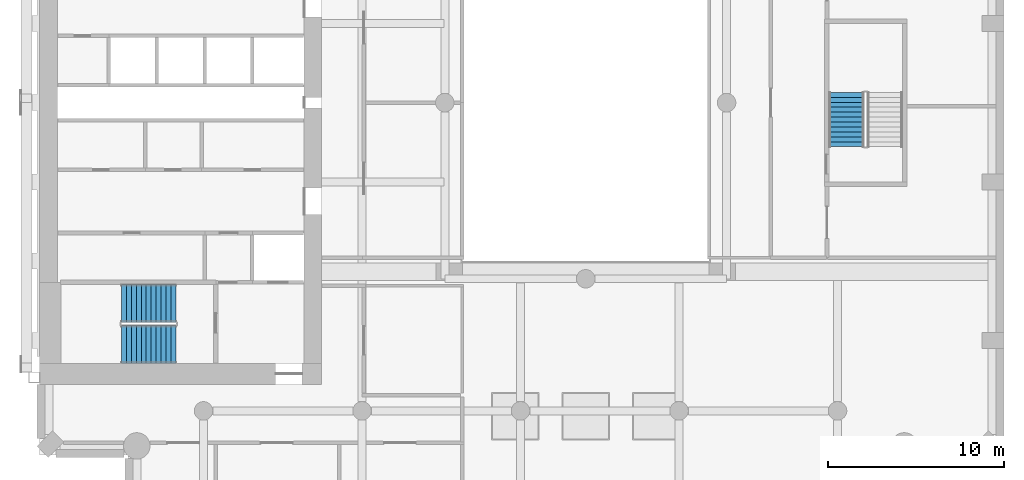
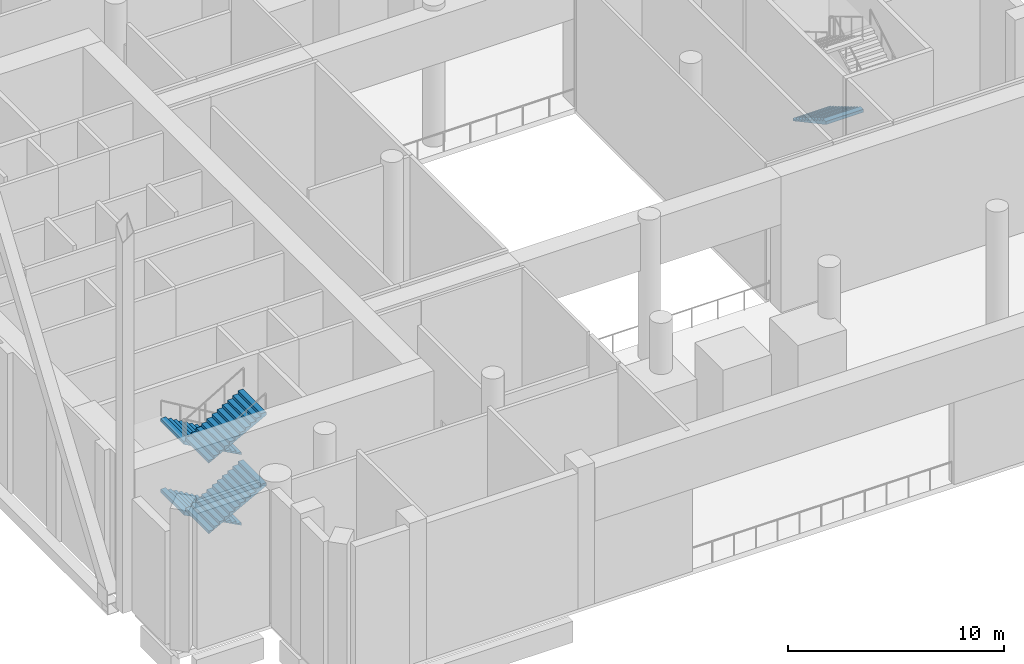
# One storey, part 8 of 14: 5 stair flights, 2 elements without a shape of their own.
"""IFC4 building model written with IfcOpenShell, lengths in metres."""

from ifc_helpers import new_model, si_unit, direction, frame, origin, place, context, subcontext, project, spatial, triangles, material, type_object, element, aggregate, save


model = new_model("IFC4")

# Units and contexts
model_context = context("Model", 3, precision=1e-05, world=origin(), true_north=direction((0.0, 1.0)))
body_context = subcontext(model_context, "Body", "Model", "MODEL_VIEW")
ifc_project = project(units=[si_unit("LENGTHUNIT", "METRE"), si_unit("AREAUNIT", "SQUARE_METRE"), si_unit("VOLUMEUNIT", "CUBIC_METRE"), si_unit("PLANEANGLEUNIT", "RADIAN"), si_unit("MASSUNIT", "GRAM", prefix="KILO")], contexts=[model_context])

# Site, building, storey
site_placement = place(None, origin())
site = spatial("IfcSite", under=ifc_project, at=site_placement, CompositionType="ELEMENT")
building_placement = place(site_placement, origin())
building = spatial("IfcBuilding", under=site, at=building_placement, Name="Cypress Arch Tower", CompositionType="ELEMENT")
storey_placement = place(building_placement, frame((0.0, 0.0, 152.5)))
storey = spatial("IfcBuildingStorey", under=building, at=storey_placement, Name="L33", CompositionType="ELEMENT", Elevation=152.5)

# Stair, stair flight
ifc_material_1 = material(Name="Concrete C40/50", Category="concrete")
stair_type_1 = type_object("IfcStairType", Name="Exit stair ES1667-200", PredefinedType="HALF_TURN_STAIR", material=ifc_material_1)
stair_1_placement = place(storey_placement, origin())
stair_1 = element("IfcStair", 1, at=stair_1_placement, inside=storey, type_object=stair_type_1, Name="L33 Exit stair C", PredefinedType="HALF_TURN_STAIR")
ifc_material_2 = material(Name="Concrete C40/50", Category="concrete")
stair_flight_type_1 = type_object("IfcStairFlightType", Name="Exit stair flight ES1667-200", PredefinedType="STRAIGHT", material=ifc_material_2)
stair_flight_1_placement = place(storey_placement, frame((15.800048828125, 0.580078125, 2.0), z_axis=(0.0, 0.0, 1.0), x_axis=(0.0, -1.0, 0.0)))
stair_flight_1 = element("IfcStairFlight", 2, at=stair_flight_1_placement, type_object=stair_flight_type_1, Name="C flight 2", NumberOfRisers=12, NumberOfTreads=11, PredefinedType="STRAIGHT", RiserHeight=0.166666667, TreadLength=0.28, context=body_context, shape_type="Tessellation", body=[
    triangles([(0.0, -1.0, 0.0), (0.0, -1.0, 0.166748046875), (0.280029296875, -1.0, 0.166748046875), (0.280029296875, -1.0, 0.333251953125), (0.56005859375, -1.0, 0.333251953125), (0.56005859375, -1.0, 0.5), (0.840087890625, -1.0, 0.5), (0.840087890625, -1.0, 0.666748046875), (1.1201171875, -1.0, 0.666748046875), (1.1201171875, -1.0, 0.833251953125), (1.39990234375, -1.0, 0.833251953125), (1.39990234375, -1.0, 1.0), (1.679931640625, -1.0, 1.0), (1.679931640625, -1.0, 1.166748046875), (1.9599609375, -1.0, 1.166748046875), (1.9599609375, -1.0, 1.333251953125), (2.239990234375, -1.0, 1.333251953125), (2.239990234375, -1.0, 1.5), (2.52001953125, -1.0, 1.5), (2.52001953125, -1.0, 1.666748046875), (2.800048828125, -1.0, 1.666748046875), (2.800048828125, -1.0, 1.833251953125), (3.080078125, -1.0, 1.833251953125), (3.080078125, -1.0, 1.658935546875), (3.080078125, 1.0, 1.658935546875), (3.080078125, 1.0, 1.833251953125), (2.800048828125, 1.0, 1.833251953125), (2.800048828125, 1.0, 1.666748046875), (2.52001953125, 1.0, 1.666748046875), (2.52001953125, 1.0, 1.5), (2.239990234375, 1.0, 1.5), (2.239990234375, 1.0, 1.333251953125), (1.9599609375, 1.0, 1.333251953125), (1.9599609375, 1.0, 1.166748046875), (1.679931640625, 1.0, 1.166748046875), (1.679931640625, 1.0, 1.0), (1.39990234375, 1.0, 1.0), (1.39990234375, 1.0, 0.833251953125), (1.1201171875, 1.0, 0.833251953125), (1.1201171875, 1.0, 0.666748046875), (0.840087890625, 1.0, 0.666748046875), (0.840087890625, 1.0, 0.5), (0.56005859375, 1.0, 0.5), (0.56005859375, 1.0, 0.333251953125), (0.280029296875, 1.0, 0.333251953125), (0.280029296875, 1.0, 0.166748046875), (0.0, 1.0, 0.166748046875), (0.0, 1.0, 0.0), (3.080078125, 0.0, 1.833251953125), (3.080078125, 0.0, 1.658935546875), (2.800048828125, 0.0, 1.833251953125), (2.800048828125, 0.0, 1.666748046875), (2.52001953125, 0.0, 1.666748046875), (2.52001953125, 0.0, 1.5), (2.239990234375, 0.0, 1.5), (2.239990234375, 0.0, 1.333251953125), (1.9599609375, 0.0, 1.333251953125), (1.9599609375, 0.0, 1.166748046875), (1.679931640625, 0.0, 1.166748046875), (1.679931640625, 0.0, 1.0), (1.39990234375, 0.0, 1.0), (1.39990234375, 0.0, 0.833251953125), (1.1201171875, 0.0, 0.833251953125), (1.1201171875, 0.0, 0.666748046875), (0.840087890625, 0.0, 0.666748046875), (0.840087890625, 0.0, 0.5), (0.56005859375, 0.0, 0.5), (0.56005859375, 0.0, 0.333251953125), (0.280029296875, 0.0, 0.333251953125), (0.280029296875, 0.0, 0.166748046875), (0.0, 0.0, 0.166748046875), (0.0, 0.0, 0.0)], [[24, 23, 22], [21, 20, 19], [19, 18, 17], [15, 14, 13], [13, 12, 11], [9, 8, 7], [7, 6, 5], [3, 2, 1], [11, 10, 9], [17, 16, 15], [5, 4, 3], [24, 22, 21], [24, 21, 19], [24, 19, 17], [24, 17, 15], [24, 15, 13], [24, 13, 11], [24, 11, 9], [24, 9, 7], [24, 7, 5], [1, 24, 5], [5, 3, 1], [25, 27, 26], [28, 30, 29], [30, 32, 31], [34, 36, 35], [36, 38, 37], [40, 42, 41], [42, 44, 43], [46, 48, 47], [38, 40, 39], [32, 34, 33], [44, 46, 45], [25, 28, 27], [25, 30, 28], [25, 32, 30], [25, 34, 32], [25, 36, 34], [25, 38, 36], [25, 40, 38], [25, 42, 40], [25, 44, 42], [48, 44, 25], [44, 48, 46], [50, 49, 23], [50, 23, 24], [25, 26, 49], [25, 49, 50], [49, 51, 22], [49, 22, 23], [26, 27, 51], [26, 51, 49], [51, 52, 21], [51, 21, 22], [27, 28, 52], [27, 52, 51], [52, 53, 20], [52, 20, 21], [28, 29, 53], [28, 53, 52], [53, 54, 19], [53, 19, 20], [29, 30, 54], [29, 54, 53], [54, 55, 18], [54, 18, 19], [30, 31, 55], [30, 55, 54], [55, 56, 17], [55, 17, 18], [31, 32, 56], [31, 56, 55], [56, 57, 16], [56, 16, 17], [32, 33, 57], [32, 57, 56], [57, 58, 15], [57, 15, 16], [33, 34, 58], [33, 58, 57], [58, 59, 14], [58, 14, 15], [34, 35, 59], [34, 59, 58], [59, 60, 13], [59, 13, 14], [35, 36, 60], [35, 60, 59], [60, 61, 12], [60, 12, 13], [36, 37, 61], [36, 61, 60], [61, 62, 11], [61, 11, 12], [37, 38, 62], [37, 62, 61], [62, 63, 10], [62, 10, 11], [38, 39, 63], [38, 63, 62], [63, 64, 9], [63, 9, 10], [39, 40, 64], [39, 64, 63], [64, 65, 8], [64, 8, 9], [40, 41, 65], [40, 65, 64], [65, 66, 7], [65, 7, 8], [41, 42, 66], [41, 66, 65], [66, 67, 6], [66, 6, 7], [42, 43, 67], [42, 67, 66], [67, 68, 5], [67, 5, 6], [43, 44, 68], [43, 68, 67], [68, 69, 4], [68, 4, 5], [44, 45, 69], [44, 69, 68], [69, 70, 3], [69, 3, 4], [45, 46, 70], [45, 70, 69], [70, 71, 2], [70, 2, 3], [46, 47, 71], [46, 71, 70], [71, 72, 1], [71, 1, 2], [47, 48, 72], [47, 72, 71], [72, 50, 24], [72, 24, 1], [48, 25, 50], [48, 50, 72]], closed=True),
])
aggregate(stair_1, [stair_flight_1])

# Stair, stair flights
ifc_material_3 = material(Name="Concrete C40/50", Category="concrete")
stair_type_2 = type_object("IfcStairType", Name="Exit stair ES1667-215", PredefinedType="HALF_TURN_STAIR", material=ifc_material_3)
stair_2_placement = place(storey_placement, origin())
stair_2 = element("IfcStair", 3, at=stair_2_placement, inside=storey, type_object=stair_type_2, Name="L33 Exit stair A", PredefinedType="HALF_TURN_STAIR")
ifc_material_4 = material(Name="Concrete C40/50", Category="concrete")
stair_flight_type_2 = type_object("IfcStairFlightType", Name="Exit stair flight ES1667-215", PredefinedType="STRAIGHT", material=ifc_material_4)
stair_flight_2_placement = place(storey_placement, frame((-22.27490234375, -11.39990234375, 0.0), z_axis=(0.0, 0.0, 1.0), x_axis=(-1.0, 0.0, 0.0)))
stair_flight_2 = element("IfcStairFlight", 4, at=stair_flight_2_placement, type_object=stair_flight_type_2, Name="A flight 1", NumberOfRisers=12, NumberOfTreads=11, PredefinedType="STRAIGHT", RiserHeight=0.166666667, TreadLength=0.28, context=body_context, shape_type="Tessellation", body=[
    triangles([(0.0, -1.074951171875, 0.0), (0.000244140625, -1.074951171875, 0.0185546875), (0.000244140625, -1.074951171875, 0.037109375), (0.00048828125, -1.074951171875, 0.0556640625), (0.00048828125, -1.074951171875, 0.07421875), (0.00048828125, -1.074951171875, 0.092529296875), (0.00048828125, -1.074951171875, 0.111083984375), (0.000244140625, -1.074951171875, 0.129638671875), (0.000244140625, -1.074951171875, 0.148193359375), (0.0, -1.074951171875, 0.166748046875), (0.280029296875, -1.074951171875, 0.166748046875), (0.280029296875, -1.074951171875, 0.333251953125), (0.56005859375, -1.074951171875, 0.333251953125), (0.56005859375, -1.074951171875, 0.5), (0.840087890625, -1.074951171875, 0.5), (0.840087890625, -1.074951171875, 0.666748046875), (1.1201171875, -1.074951171875, 0.666748046875), (1.1201171875, -1.074951171875, 0.833251953125), (1.39990234375, -1.074951171875, 0.833251953125), (1.39990234375, -1.074951171875, 1.0), (1.679931640625, -1.074951171875, 1.0), (1.679931640625, -1.074951171875, 1.166748046875), (1.9599609375, -1.074951171875, 1.166748046875), (1.9599609375, -1.074951171875, 1.333251953125), (2.239990234375, -1.074951171875, 1.333251953125), (2.239990234375, -1.074951171875, 1.5), (2.52001953125, -1.074951171875, 1.5), (2.52001953125, -1.074951171875, 1.666748046875), (2.800048828125, -1.074951171875, 1.666748046875), (2.800048828125, -1.074951171875, 1.833251953125), (3.080078125, -1.074951171875, 1.833251953125), (3.079833984375, -1.074951171875, 1.81396484375), (3.079833984375, -1.074951171875, 1.79443359375), (3.07958984375, -1.074951171875, 1.775146484375), (3.07958984375, -1.074951171875, 1.755859375), (3.07958984375, -1.074951171875, 1.736328125), (3.07958984375, -1.074951171875, 1.717041015625), (3.079833984375, -1.074951171875, 1.69775390625), (3.079833984375, -1.074951171875, 1.67822265625), (3.080078125, -1.074951171875, 1.658935546875), (3.080078125, 1.074951171875, 1.658935546875), (3.079833984375, 1.074951171875, 1.67822265625), (3.079833984375, 1.074951171875, 1.69775390625), (3.07958984375, 1.074951171875, 1.717041015625), (3.07958984375, 1.074951171875, 1.736328125), (3.07958984375, 1.074951171875, 1.755859375), (3.07958984375, 1.074951171875, 1.775146484375), (3.079833984375, 1.074951171875, 1.79443359375), (3.079833984375, 1.074951171875, 1.81396484375), (3.080078125, 1.074951171875, 1.833251953125), (2.800048828125, 1.074951171875, 1.833251953125), (2.800048828125, 1.074951171875, 1.666748046875), (2.52001953125, 1.074951171875, 1.666748046875), (2.52001953125, 1.074951171875, 1.5), (2.239990234375, 1.074951171875, 1.5), (2.239990234375, 1.074951171875, 1.333251953125), (1.9599609375, 1.074951171875, 1.333251953125), (1.9599609375, 1.074951171875, 1.166748046875), (1.679931640625, 1.074951171875, 1.166748046875), (1.679931640625, 1.074951171875, 1.0), (1.39990234375, 1.074951171875, 1.0), (1.39990234375, 1.074951171875, 0.833251953125), (1.1201171875, 1.074951171875, 0.833251953125), (1.1201171875, 1.074951171875, 0.666748046875), (0.840087890625, 1.074951171875, 0.666748046875), (0.840087890625, 1.074951171875, 0.5), (0.56005859375, 1.074951171875, 0.5), (0.56005859375, 1.074951171875, 0.333251953125), (0.280029296875, 1.074951171875, 0.333251953125), (0.280029296875, 1.074951171875, 0.166748046875), (0.0, 1.074951171875, 0.166748046875), (0.000244140625, 1.074951171875, 0.148193359375), (0.000244140625, 1.074951171875, 0.129638671875), (0.00048828125, 1.074951171875, 0.111083984375), (0.00048828125, 1.074951171875, 0.092529296875), (0.00048828125, 1.074951171875, 0.07421875), (0.00048828125, 1.074951171875, 0.0556640625), (0.000244140625, 1.074951171875, 0.037109375), (0.000244140625, 1.074951171875, 0.0185546875), (0.0, 1.074951171875, 0.0)], [[40, 39, 30], [39, 38, 30], [38, 37, 30], [37, 36, 30], [36, 35, 30], [35, 34, 30], [34, 33, 30], [33, 32, 30], [32, 31, 30], [29, 28, 27], [27, 26, 25], [23, 22, 21], [21, 20, 19], [17, 16, 15], [15, 14, 13], [10, 9, 11], [9, 8, 11], [8, 7, 11], [7, 6, 11], [6, 5, 11], [5, 4, 11], [4, 3, 11], [3, 2, 11], [2, 1, 11], [19, 18, 17], [25, 24, 23], [13, 12, 11], [40, 30, 29], [40, 29, 27], [40, 27, 25], [40, 25, 23], [40, 23, 21], [40, 21, 19], [40, 19, 17], [40, 17, 15], [40, 15, 13], [1, 40, 13], [13, 11, 1], [41, 51, 42], [42, 51, 43], [43, 51, 44], [44, 51, 45], [45, 51, 46], [46, 51, 47], [47, 51, 48], [48, 51, 49], [49, 51, 50], [52, 54, 53], [54, 56, 55], [58, 60, 59], [60, 62, 61], [64, 66, 65], [66, 68, 67], [71, 70, 72], [72, 70, 73], [73, 70, 74], [74, 70, 75], [75, 70, 76], [76, 70, 77], [77, 70, 78], [78, 70, 79], [79, 70, 80], [62, 64, 63], [56, 58, 57], [68, 70, 69], [41, 52, 51], [41, 54, 52], [41, 56, 54], [41, 58, 56], [41, 60, 58], [41, 62, 60], [41, 64, 62], [41, 66, 64], [41, 68, 66], [80, 68, 41], [68, 80, 70], [41, 42, 39], [41, 39, 40], [42, 43, 38], [42, 38, 39], [43, 44, 37], [43, 37, 38], [44, 45, 36], [44, 36, 37], [45, 46, 35], [45, 35, 36], [46, 47, 34], [46, 34, 35], [47, 48, 33], [47, 33, 34], [48, 49, 32], [48, 32, 33], [49, 50, 31], [49, 31, 32], [50, 51, 30], [50, 30, 31], [51, 52, 29], [51, 29, 30], [52, 53, 28], [52, 28, 29], [53, 54, 27], [53, 27, 28], [54, 55, 26], [54, 26, 27], [55, 56, 25], [55, 25, 26], [56, 57, 24], [56, 24, 25], [57, 58, 23], [57, 23, 24], [58, 59, 22], [58, 22, 23], [59, 60, 21], [59, 21, 22], [60, 61, 20], [60, 20, 21], [61, 62, 19], [61, 19, 20], [62, 63, 18], [62, 18, 19], [63, 64, 17], [63, 17, 18], [64, 65, 16], [64, 16, 17], [65, 66, 15], [65, 15, 16], [66, 67, 14], [66, 14, 15], [67, 68, 13], [67, 13, 14], [68, 69, 12], [68, 12, 13], [69, 70, 11], [69, 11, 12], [70, 71, 10], [70, 10, 11], [71, 72, 9], [71, 9, 10], [72, 73, 8], [72, 8, 9], [73, 74, 7], [73, 7, 8], [74, 75, 6], [74, 6, 7], [75, 76, 5], [75, 5, 6], [76, 77, 4], [76, 4, 5], [77, 78, 3], [77, 3, 4], [78, 79, 2], [78, 2, 3], [79, 80, 1], [79, 1, 2], [80, 41, 40], [80, 40, 1]], closed=True),
])
stair_flight_3_placement = place(storey_placement, frame((-25.35498046875, -13.72509765625, 2.0), z_axis=(0.0, 0.0, 1.0), x_axis=(1.0, 0.0, 0.0)))
stair_flight_3 = element("IfcStairFlight", 5, at=stair_flight_3_placement, type_object=stair_flight_type_2, Name="A flight 2", NumberOfRisers=12, NumberOfTreads=11, PredefinedType="STRAIGHT", RiserHeight=0.166666667, TreadLength=0.28, context=body_context, shape_type="Tessellation", body=[
    triangles([(0.0, -1.074951171875, 0.0), (0.000244140625, -1.074951171875, 0.0185546875), (0.000244140625, -1.074951171875, 0.037109375), (0.00048828125, -1.074951171875, 0.0556640625), (0.00048828125, -1.074951171875, 0.07421875), (0.00048828125, -1.074951171875, 0.092529296875), (0.00048828125, -1.074951171875, 0.111083984375), (0.000244140625, -1.074951171875, 0.129638671875), (0.000244140625, -1.074951171875, 0.148193359375), (0.0, -1.074951171875, 0.166748046875), (0.280029296875, -1.074951171875, 0.166748046875), (0.280029296875, -1.074951171875, 0.333251953125), (0.56005859375, -1.074951171875, 0.333251953125), (0.56005859375, -1.074951171875, 0.5), (0.840087890625, -1.074951171875, 0.5), (0.840087890625, -1.074951171875, 0.666748046875), (1.1201171875, -1.074951171875, 0.666748046875), (1.1201171875, -1.074951171875, 0.833251953125), (1.39990234375, -1.074951171875, 0.833251953125), (1.39990234375, -1.074951171875, 1.0), (1.679931640625, -1.074951171875, 1.0), (1.679931640625, -1.074951171875, 1.166748046875), (1.9599609375, -1.074951171875, 1.166748046875), (1.9599609375, -1.074951171875, 1.333251953125), (2.239990234375, -1.074951171875, 1.333251953125), (2.239990234375, -1.074951171875, 1.5), (2.52001953125, -1.074951171875, 1.5), (2.52001953125, -1.074951171875, 1.666748046875), (2.800048828125, -1.074951171875, 1.666748046875), (2.800048828125, -1.074951171875, 1.833251953125), (3.080078125, -1.074951171875, 1.833251953125), (3.079833984375, -1.074951171875, 1.81396484375), (3.079833984375, -1.074951171875, 1.79443359375), (3.07958984375, -1.074951171875, 1.775146484375), (3.07958984375, -1.074951171875, 1.755859375), (3.07958984375, -1.074951171875, 1.736328125), (3.07958984375, -1.074951171875, 1.717041015625), (3.079833984375, -1.074951171875, 1.69775390625), (3.079833984375, -1.074951171875, 1.67822265625), (3.080078125, -1.074951171875, 1.658935546875), (3.080078125, 1.074951171875, 1.658935546875), (3.079833984375, 1.074951171875, 1.67822265625), (3.079833984375, 1.074951171875, 1.69775390625), (3.07958984375, 1.074951171875, 1.717041015625), (3.07958984375, 1.074951171875, 1.736328125), (3.07958984375, 1.074951171875, 1.755859375), (3.07958984375, 1.074951171875, 1.775146484375), (3.079833984375, 1.074951171875, 1.79443359375), (3.079833984375, 1.074951171875, 1.81396484375), (3.080078125, 1.074951171875, 1.833251953125), (2.800048828125, 1.074951171875, 1.833251953125), (2.800048828125, 1.074951171875, 1.666748046875), (2.52001953125, 1.074951171875, 1.666748046875), (2.52001953125, 1.074951171875, 1.5), (2.239990234375, 1.074951171875, 1.5), (2.239990234375, 1.074951171875, 1.333251953125), (1.9599609375, 1.074951171875, 1.333251953125), (1.9599609375, 1.074951171875, 1.166748046875), (1.679931640625, 1.074951171875, 1.166748046875), (1.679931640625, 1.074951171875, 1.0), (1.39990234375, 1.074951171875, 1.0), (1.39990234375, 1.074951171875, 0.833251953125), (1.1201171875, 1.074951171875, 0.833251953125), (1.1201171875, 1.074951171875, 0.666748046875), (0.840087890625, 1.074951171875, 0.666748046875), (0.840087890625, 1.074951171875, 0.5), (0.56005859375, 1.074951171875, 0.5), (0.56005859375, 1.074951171875, 0.333251953125), (0.280029296875, 1.074951171875, 0.333251953125), (0.280029296875, 1.074951171875, 0.166748046875), (0.0, 1.074951171875, 0.166748046875), (0.000244140625, 1.074951171875, 0.148193359375), (0.000244140625, 1.074951171875, 0.129638671875), (0.00048828125, 1.074951171875, 0.111083984375), (0.00048828125, 1.074951171875, 0.092529296875), (0.00048828125, 1.074951171875, 0.07421875), (0.00048828125, 1.074951171875, 0.0556640625), (0.000244140625, 1.074951171875, 0.037109375), (0.000244140625, 1.074951171875, 0.0185546875), (0.0, 1.074951171875, 0.0)], [[40, 39, 30], [39, 38, 30], [38, 37, 30], [37, 36, 30], [36, 35, 30], [35, 34, 30], [34, 33, 30], [33, 32, 30], [32, 31, 30], [29, 28, 27], [27, 26, 25], [23, 22, 21], [21, 20, 19], [17, 16, 15], [15, 14, 13], [10, 9, 11], [9, 8, 11], [8, 7, 11], [7, 6, 11], [6, 5, 11], [5, 4, 11], [4, 3, 11], [3, 2, 11], [2, 1, 11], [19, 18, 17], [25, 24, 23], [13, 12, 11], [40, 30, 29], [40, 29, 27], [40, 27, 25], [40, 25, 23], [40, 23, 21], [40, 21, 19], [40, 19, 17], [40, 17, 15], [40, 15, 13], [1, 40, 13], [13, 11, 1], [41, 51, 42], [42, 51, 43], [43, 51, 44], [44, 51, 45], [45, 51, 46], [46, 51, 47], [47, 51, 48], [48, 51, 49], [49, 51, 50], [52, 54, 53], [54, 56, 55], [58, 60, 59], [60, 62, 61], [64, 66, 65], [66, 68, 67], [71, 70, 72], [72, 70, 73], [73, 70, 74], [74, 70, 75], [75, 70, 76], [76, 70, 77], [77, 70, 78], [78, 70, 79], [79, 70, 80], [62, 64, 63], [56, 58, 57], [68, 70, 69], [41, 52, 51], [41, 54, 52], [41, 56, 54], [41, 58, 56], [41, 60, 58], [41, 62, 60], [41, 64, 62], [41, 66, 64], [41, 68, 66], [80, 68, 41], [68, 80, 70], [41, 42, 39], [41, 39, 40], [42, 43, 38], [42, 38, 39], [43, 44, 37], [43, 37, 38], [44, 45, 36], [44, 36, 37], [45, 46, 35], [45, 35, 36], [46, 47, 34], [46, 34, 35], [47, 48, 33], [47, 33, 34], [48, 49, 32], [48, 32, 33], [49, 50, 31], [49, 31, 32], [50, 51, 30], [50, 30, 31], [51, 52, 29], [51, 29, 30], [52, 53, 28], [52, 28, 29], [53, 54, 27], [53, 27, 28], [54, 55, 26], [54, 26, 27], [55, 56, 25], [55, 25, 26], [56, 57, 24], [56, 24, 25], [57, 58, 23], [57, 23, 24], [58, 59, 22], [58, 22, 23], [59, 60, 21], [59, 21, 22], [60, 61, 20], [60, 20, 21], [61, 62, 19], [61, 19, 20], [62, 63, 18], [62, 18, 19], [63, 64, 17], [63, 17, 18], [64, 65, 16], [64, 16, 17], [65, 66, 15], [65, 15, 16], [66, 67, 14], [66, 14, 15], [67, 68, 13], [67, 13, 14], [68, 69, 12], [68, 12, 13], [69, 70, 11], [69, 11, 12], [70, 71, 10], [70, 10, 11], [71, 72, 9], [71, 9, 10], [72, 73, 8], [72, 8, 9], [73, 74, 7], [73, 7, 8], [74, 75, 6], [74, 6, 7], [75, 76, 5], [75, 5, 6], [76, 77, 4], [76, 4, 5], [77, 78, 3], [77, 3, 4], [78, 79, 2], [78, 2, 3], [79, 80, 1], [79, 1, 2], [80, 41, 40], [80, 40, 1]], closed=True),
])
stair_flight_4_placement = place(storey_placement, frame((-22.27490234375, -11.39990234375, 4.0), z_axis=(0.0, 0.0, 1.0), x_axis=(-1.0, 0.0, 0.0)))
stair_flight_4 = element("IfcStairFlight", 6, at=stair_flight_4_placement, type_object=stair_flight_type_2, Name="A flight 3", NumberOfRisers=12, NumberOfTreads=11, PredefinedType="STRAIGHT", RiserHeight=0.166666667, TreadLength=0.28, context=body_context, shape_type="Tessellation", body=[
    triangles([(0.0, -1.074951171875, 0.0), (0.000244140625, -1.074951171875, 0.0185546875), (0.000244140625, -1.074951171875, 0.037109375), (0.00048828125, -1.074951171875, 0.0556640625), (0.00048828125, -1.074951171875, 0.07421875), (0.00048828125, -1.074951171875, 0.092529296875), (0.00048828125, -1.074951171875, 0.111083984375), (0.000244140625, -1.074951171875, 0.129638671875), (0.000244140625, -1.074951171875, 0.148193359375), (0.0, -1.074951171875, 0.166748046875), (0.280029296875, -1.074951171875, 0.166748046875), (0.280029296875, -1.074951171875, 0.333251953125), (0.56005859375, -1.074951171875, 0.333251953125), (0.56005859375, -1.074951171875, 0.5), (0.840087890625, -1.074951171875, 0.5), (0.840087890625, -1.074951171875, 0.666748046875), (1.1201171875, -1.074951171875, 0.666748046875), (1.1201171875, -1.074951171875, 0.833251953125), (1.39990234375, -1.074951171875, 0.833251953125), (1.39990234375, -1.074951171875, 1.0), (1.679931640625, -1.074951171875, 1.0), (1.679931640625, -1.074951171875, 1.166748046875), (1.9599609375, -1.074951171875, 1.166748046875), (1.9599609375, -1.074951171875, 1.333251953125), (2.239990234375, -1.074951171875, 1.333251953125), (2.239990234375, -1.074951171875, 1.5), (2.52001953125, -1.074951171875, 1.5), (2.52001953125, -1.074951171875, 1.666748046875), (2.800048828125, -1.074951171875, 1.666748046875), (2.800048828125, -1.074951171875, 1.833251953125), (3.080078125, -1.074951171875, 1.833251953125), (3.079833984375, -1.074951171875, 1.81396484375), (3.079833984375, -1.074951171875, 1.79443359375), (3.07958984375, -1.074951171875, 1.775146484375), (3.07958984375, -1.074951171875, 1.755859375), (3.07958984375, -1.074951171875, 1.736328125), (3.07958984375, -1.074951171875, 1.717041015625), (3.079833984375, -1.074951171875, 1.69775390625), (3.079833984375, -1.074951171875, 1.67822265625), (3.080078125, -1.074951171875, 1.658935546875), (3.080078125, 1.074951171875, 1.658935546875), (3.079833984375, 1.074951171875, 1.67822265625), (3.079833984375, 1.074951171875, 1.69775390625), (3.07958984375, 1.074951171875, 1.717041015625), (3.07958984375, 1.074951171875, 1.736328125), (3.07958984375, 1.074951171875, 1.755859375), (3.07958984375, 1.074951171875, 1.775146484375), (3.079833984375, 1.074951171875, 1.79443359375), (3.079833984375, 1.074951171875, 1.81396484375), (3.080078125, 1.074951171875, 1.833251953125), (2.800048828125, 1.074951171875, 1.833251953125), (2.800048828125, 1.074951171875, 1.666748046875), (2.52001953125, 1.074951171875, 1.666748046875), (2.52001953125, 1.074951171875, 1.5), (2.239990234375, 1.074951171875, 1.5), (2.239990234375, 1.074951171875, 1.333251953125), (1.9599609375, 1.074951171875, 1.333251953125), (1.9599609375, 1.074951171875, 1.166748046875), (1.679931640625, 1.074951171875, 1.166748046875), (1.679931640625, 1.074951171875, 1.0), (1.39990234375, 1.074951171875, 1.0), (1.39990234375, 1.074951171875, 0.833251953125), (1.1201171875, 1.074951171875, 0.833251953125), (1.1201171875, 1.074951171875, 0.666748046875), (0.840087890625, 1.074951171875, 0.666748046875), (0.840087890625, 1.074951171875, 0.5), (0.56005859375, 1.074951171875, 0.5), (0.56005859375, 1.074951171875, 0.333251953125), (0.280029296875, 1.074951171875, 0.333251953125), (0.280029296875, 1.074951171875, 0.166748046875), (0.0, 1.074951171875, 0.166748046875), (0.000244140625, 1.074951171875, 0.148193359375), (0.000244140625, 1.074951171875, 0.129638671875), (0.00048828125, 1.074951171875, 0.111083984375), (0.00048828125, 1.074951171875, 0.092529296875), (0.00048828125, 1.074951171875, 0.07421875), (0.00048828125, 1.074951171875, 0.0556640625), (0.000244140625, 1.074951171875, 0.037109375), (0.000244140625, 1.074951171875, 0.0185546875), (0.0, 1.074951171875, 0.0)], [[40, 39, 30], [39, 38, 30], [38, 37, 30], [37, 36, 30], [36, 35, 30], [35, 34, 30], [34, 33, 30], [33, 32, 30], [32, 31, 30], [29, 28, 27], [27, 26, 25], [23, 22, 21], [21, 20, 19], [17, 16, 15], [15, 14, 13], [10, 9, 11], [9, 8, 11], [8, 7, 11], [7, 6, 11], [6, 5, 11], [5, 4, 11], [4, 3, 11], [3, 2, 11], [2, 1, 11], [19, 18, 17], [25, 24, 23], [13, 12, 11], [40, 30, 29], [40, 29, 27], [40, 27, 25], [40, 25, 23], [40, 23, 21], [40, 21, 19], [40, 19, 17], [40, 17, 15], [40, 15, 13], [1, 40, 13], [13, 11, 1], [41, 51, 42], [42, 51, 43], [43, 51, 44], [44, 51, 45], [45, 51, 46], [46, 51, 47], [47, 51, 48], [48, 51, 49], [49, 51, 50], [52, 54, 53], [54, 56, 55], [58, 60, 59], [60, 62, 61], [64, 66, 65], [66, 68, 67], [71, 70, 72], [72, 70, 73], [73, 70, 74], [74, 70, 75], [75, 70, 76], [76, 70, 77], [77, 70, 78], [78, 70, 79], [79, 70, 80], [62, 64, 63], [56, 58, 57], [68, 70, 69], [41, 52, 51], [41, 54, 52], [41, 56, 54], [41, 58, 56], [41, 60, 58], [41, 62, 60], [41, 64, 62], [41, 66, 64], [41, 68, 66], [80, 68, 41], [68, 80, 70], [41, 42, 39], [41, 39, 40], [42, 43, 38], [42, 38, 39], [43, 44, 37], [43, 37, 38], [44, 45, 36], [44, 36, 37], [45, 46, 35], [45, 35, 36], [46, 47, 34], [46, 34, 35], [47, 48, 33], [47, 33, 34], [48, 49, 32], [48, 32, 33], [49, 50, 31], [49, 31, 32], [50, 51, 30], [50, 30, 31], [51, 52, 29], [51, 29, 30], [52, 53, 28], [52, 28, 29], [53, 54, 27], [53, 27, 28], [54, 55, 26], [54, 26, 27], [55, 56, 25], [55, 25, 26], [56, 57, 24], [56, 24, 25], [57, 58, 23], [57, 23, 24], [58, 59, 22], [58, 22, 23], [59, 60, 21], [59, 21, 22], [60, 61, 20], [60, 20, 21], [61, 62, 19], [61, 19, 20], [62, 63, 18], [62, 18, 19], [63, 64, 17], [63, 17, 18], [64, 65, 16], [64, 16, 17], [65, 66, 15], [65, 15, 16], [66, 67, 14], [66, 14, 15], [67, 68, 13], [67, 13, 14], [68, 69, 12], [68, 12, 13], [69, 70, 11], [69, 11, 12], [70, 71, 10], [70, 10, 11], [71, 72, 9], [71, 9, 10], [72, 73, 8], [72, 8, 9], [73, 74, 7], [73, 7, 8], [74, 75, 6], [74, 6, 7], [75, 76, 5], [75, 5, 6], [76, 77, 4], [76, 4, 5], [77, 78, 3], [77, 3, 4], [78, 79, 2], [78, 2, 3], [79, 80, 1], [79, 1, 2], [80, 41, 40], [80, 40, 1]], closed=True),
])
stair_flight_5_placement = place(storey_placement, frame((-25.35498046875, -13.72509765625, 6.0), z_axis=(0.0, 0.0, 1.0), x_axis=(1.0, 0.0, 0.0)))
stair_flight_5 = element("IfcStairFlight", 7, at=stair_flight_5_placement, type_object=stair_flight_type_2, Name="A flight 4", NumberOfRisers=12, NumberOfTreads=11, PredefinedType="STRAIGHT", RiserHeight=0.166666667, TreadLength=0.28, context=body_context, shape_type="Tessellation", body=[
    triangles([(0.0, -1.074951171875, 0.0), (0.000244140625, -1.074951171875, 0.0185546875), (0.000244140625, -1.074951171875, 0.037109375), (0.00048828125, -1.074951171875, 0.0556640625), (0.00048828125, -1.074951171875, 0.07421875), (0.00048828125, -1.074951171875, 0.092529296875), (0.00048828125, -1.074951171875, 0.111083984375), (0.000244140625, -1.074951171875, 0.129638671875), (0.000244140625, -1.074951171875, 0.148193359375), (0.0, -1.074951171875, 0.166748046875), (0.280029296875, -1.074951171875, 0.166748046875), (0.280029296875, -1.074951171875, 0.333251953125), (0.56005859375, -1.074951171875, 0.333251953125), (0.56005859375, -1.074951171875, 0.5), (0.840087890625, -1.074951171875, 0.5), (0.840087890625, -1.074951171875, 0.666748046875), (1.1201171875, -1.074951171875, 0.666748046875), (1.1201171875, -1.074951171875, 0.833251953125), (1.39990234375, -1.074951171875, 0.833251953125), (1.39990234375, -1.074951171875, 1.0), (1.679931640625, -1.074951171875, 1.0), (1.679931640625, -1.074951171875, 1.166748046875), (1.9599609375, -1.074951171875, 1.166748046875), (1.9599609375, -1.074951171875, 1.333251953125), (2.239990234375, -1.074951171875, 1.333251953125), (2.239990234375, -1.074951171875, 1.5), (2.52001953125, -1.074951171875, 1.5), (2.52001953125, -1.074951171875, 1.666748046875), (2.800048828125, -1.074951171875, 1.666748046875), (2.800048828125, -1.074951171875, 1.833251953125), (3.080078125, -1.074951171875, 1.833251953125), (3.079833984375, -1.074951171875, 1.81396484375), (3.079833984375, -1.074951171875, 1.79443359375), (3.07958984375, -1.074951171875, 1.775146484375), (3.07958984375, -1.074951171875, 1.755859375), (3.07958984375, -1.074951171875, 1.736328125), (3.07958984375, -1.074951171875, 1.717041015625), (3.079833984375, -1.074951171875, 1.69775390625), (3.079833984375, -1.074951171875, 1.67822265625), (3.080078125, -1.074951171875, 1.658935546875), (3.080078125, 1.074951171875, 1.658935546875), (3.079833984375, 1.074951171875, 1.67822265625), (3.079833984375, 1.074951171875, 1.69775390625), (3.07958984375, 1.074951171875, 1.717041015625), (3.07958984375, 1.074951171875, 1.736328125), (3.07958984375, 1.074951171875, 1.755859375), (3.07958984375, 1.074951171875, 1.775146484375), (3.079833984375, 1.074951171875, 1.79443359375), (3.079833984375, 1.074951171875, 1.81396484375), (3.080078125, 1.074951171875, 1.833251953125), (2.800048828125, 1.074951171875, 1.833251953125), (2.800048828125, 1.074951171875, 1.666748046875), (2.52001953125, 1.074951171875, 1.666748046875), (2.52001953125, 1.074951171875, 1.5), (2.239990234375, 1.074951171875, 1.5), (2.239990234375, 1.074951171875, 1.333251953125), (1.9599609375, 1.074951171875, 1.333251953125), (1.9599609375, 1.074951171875, 1.166748046875), (1.679931640625, 1.074951171875, 1.166748046875), (1.679931640625, 1.074951171875, 1.0), (1.39990234375, 1.074951171875, 1.0), (1.39990234375, 1.074951171875, 0.833251953125), (1.1201171875, 1.074951171875, 0.833251953125), (1.1201171875, 1.074951171875, 0.666748046875), (0.840087890625, 1.074951171875, 0.666748046875), (0.840087890625, 1.074951171875, 0.5), (0.56005859375, 1.074951171875, 0.5), (0.56005859375, 1.074951171875, 0.333251953125), (0.280029296875, 1.074951171875, 0.333251953125), (0.280029296875, 1.074951171875, 0.166748046875), (0.0, 1.074951171875, 0.166748046875), (0.000244140625, 1.074951171875, 0.148193359375), (0.000244140625, 1.074951171875, 0.129638671875), (0.00048828125, 1.074951171875, 0.111083984375), (0.00048828125, 1.074951171875, 0.092529296875), (0.00048828125, 1.074951171875, 0.07421875), (0.00048828125, 1.074951171875, 0.0556640625), (0.000244140625, 1.074951171875, 0.037109375), (0.000244140625, 1.074951171875, 0.0185546875), (0.0, 1.074951171875, 0.0)], [[40, 39, 30], [39, 38, 30], [38, 37, 30], [37, 36, 30], [36, 35, 30], [35, 34, 30], [34, 33, 30], [33, 32, 30], [32, 31, 30], [29, 28, 27], [27, 26, 25], [23, 22, 21], [21, 20, 19], [17, 16, 15], [15, 14, 13], [10, 9, 11], [9, 8, 11], [8, 7, 11], [7, 6, 11], [6, 5, 11], [5, 4, 11], [4, 3, 11], [3, 2, 11], [2, 1, 11], [19, 18, 17], [25, 24, 23], [13, 12, 11], [40, 30, 29], [40, 29, 27], [40, 27, 25], [40, 25, 23], [40, 23, 21], [40, 21, 19], [40, 19, 17], [40, 17, 15], [40, 15, 13], [1, 40, 13], [13, 11, 1], [41, 51, 42], [42, 51, 43], [43, 51, 44], [44, 51, 45], [45, 51, 46], [46, 51, 47], [47, 51, 48], [48, 51, 49], [49, 51, 50], [52, 54, 53], [54, 56, 55], [58, 60, 59], [60, 62, 61], [64, 66, 65], [66, 68, 67], [71, 70, 72], [72, 70, 73], [73, 70, 74], [74, 70, 75], [75, 70, 76], [76, 70, 77], [77, 70, 78], [78, 70, 79], [79, 70, 80], [62, 64, 63], [56, 58, 57], [68, 70, 69], [41, 52, 51], [41, 54, 52], [41, 56, 54], [41, 58, 56], [41, 60, 58], [41, 62, 60], [41, 64, 62], [41, 66, 64], [41, 68, 66], [80, 68, 41], [68, 80, 70], [41, 42, 39], [41, 39, 40], [42, 43, 38], [42, 38, 39], [43, 44, 37], [43, 37, 38], [44, 45, 36], [44, 36, 37], [45, 46, 35], [45, 35, 36], [46, 47, 34], [46, 34, 35], [47, 48, 33], [47, 33, 34], [48, 49, 32], [48, 32, 33], [49, 50, 31], [49, 31, 32], [50, 51, 30], [50, 30, 31], [51, 52, 29], [51, 29, 30], [52, 53, 28], [52, 28, 29], [53, 54, 27], [53, 27, 28], [54, 55, 26], [54, 26, 27], [55, 56, 25], [55, 25, 26], [56, 57, 24], [56, 24, 25], [57, 58, 23], [57, 23, 24], [58, 59, 22], [58, 22, 23], [59, 60, 21], [59, 21, 22], [60, 61, 20], [60, 20, 21], [61, 62, 19], [61, 19, 20], [62, 63, 18], [62, 18, 19], [63, 64, 17], [63, 17, 18], [64, 65, 16], [64, 16, 17], [65, 66, 15], [65, 15, 16], [66, 67, 14], [66, 14, 15], [67, 68, 13], [67, 13, 14], [68, 69, 12], [68, 12, 13], [69, 70, 11], [69, 11, 12], [70, 71, 10], [70, 10, 11], [71, 72, 9], [71, 9, 10], [72, 73, 8], [72, 8, 9], [73, 74, 7], [73, 7, 8], [74, 75, 6], [74, 6, 7], [75, 76, 5], [75, 5, 6], [76, 77, 4], [76, 4, 5], [77, 78, 3], [77, 3, 4], [78, 79, 2], [78, 2, 3], [79, 80, 1], [79, 1, 2], [80, 41, 40], [80, 40, 1]], closed=True),
])
aggregate(stair_2, [stair_flight_2, stair_flight_3, stair_flight_4, stair_flight_5])

save(model, "model.ifc")
